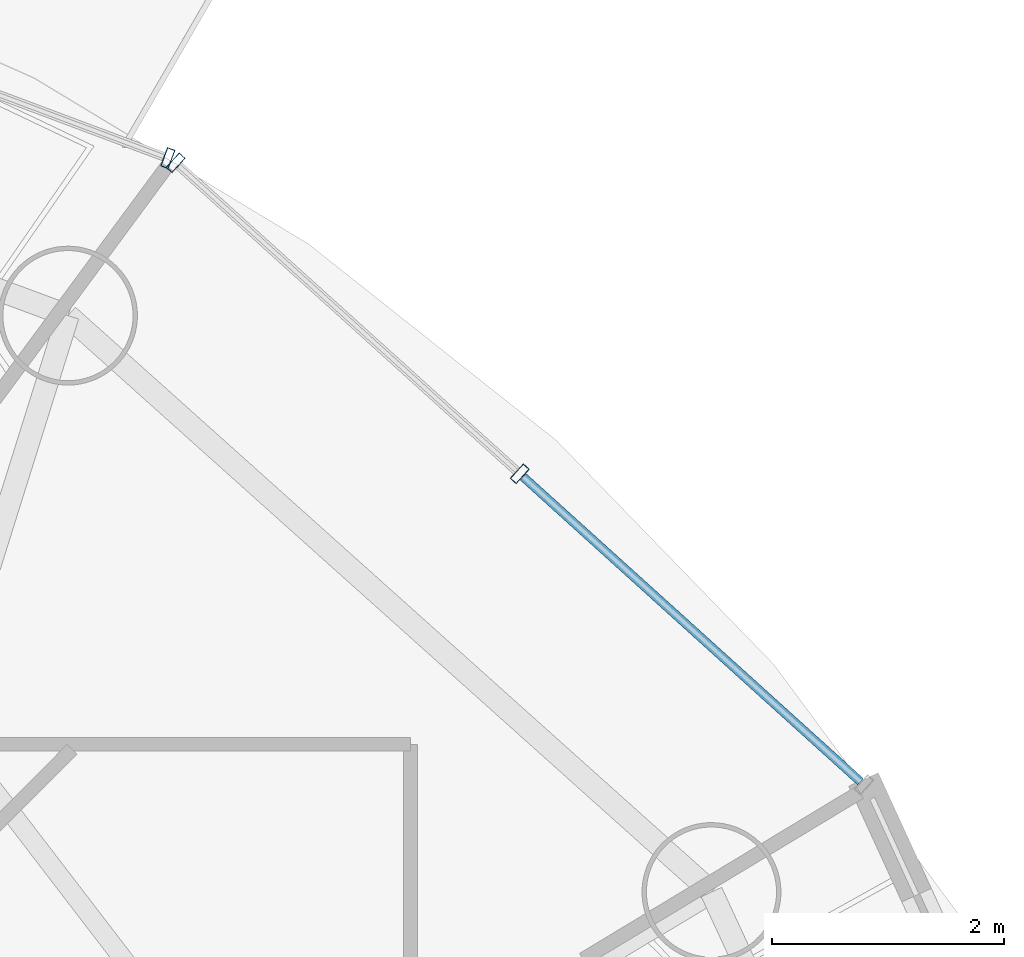
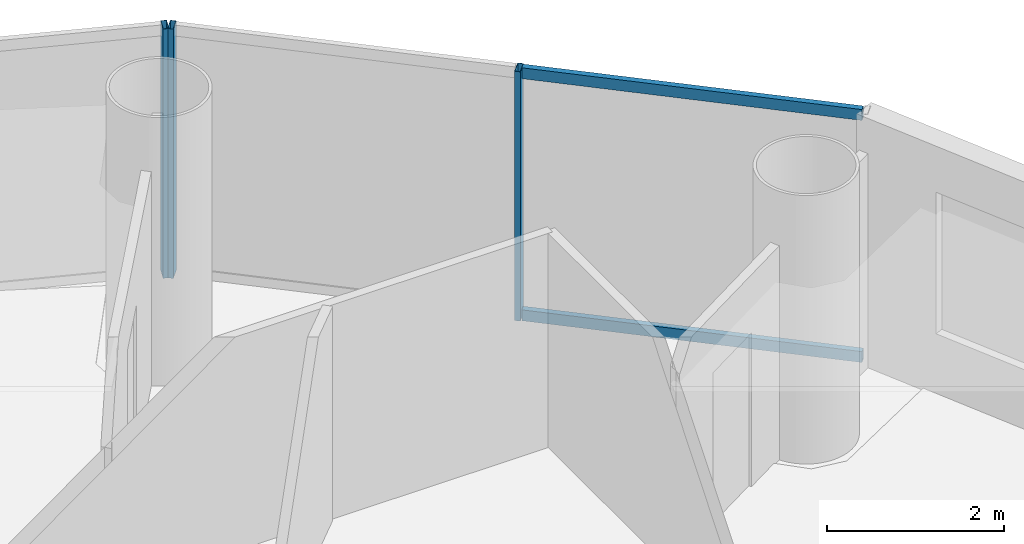
# One storey, part 18 of 26: 5 members, 2 elements without a shape of their own.
"""IFC4 building model written with IfcOpenShell, lengths in metres."""

import ifcopenshell
import ifcopenshell.guid

model = None  # the IFC model being written
_history = None  # IfcOwnerHistory: only IFC2X3 demands one
_inside = {}  # id of a spatial element -> (the spatial element, [elements in it])
_under = {}  # id of a project, library or spatial element -> (it, [spatial elements below it])
_declared = {}  # id of a project -> (the project, [libraries it declares])
_typed = {}  # id of a type object -> (the type object, [elements of that type])
_made_of = {}  # id of a material, layer set ... -> (it, [elements and type objects made of it])


def new_model(schema):
    """Start an empty IFC model of exactly this schema.

    Asked for "IFC4X3", IfcOpenShell would pick the latest addendum, in which some entities
    have other attributes; the version numbers below select the first issue.
    IFC2X3 requires an IfcOwnerHistory on every rooted entity: one is made here for all.
    """
    global model, _history
    if schema == "IFC4X3":
        model = ifcopenshell.file(schema_version=(4, 3, 0, 0))
    else:
        model = ifcopenshell.file(schema=schema)
    _inside.clear()
    _under.clear()
    _declared.clear()
    _typed.clear()
    _made_of.clear()
    _history = None
    if model.schema == "IFC2X3":
        org = make("IfcOrganization", Name="unknown")
        user = make(
            "IfcPersonAndOrganization",
            ThePerson=make("IfcPerson", FamilyName="unknown"),
            TheOrganization=org,
        )
        app = make(
            "IfcApplication",
            ApplicationDeveloper=org,
            Version="unknown",
            ApplicationFullName="unknown",
            ApplicationIdentifier="unknown",
        )
        _history = make(
            "IfcOwnerHistory",
            OwningUser=user,
            OwningApplication=app,
            ChangeAction="ADDED",
            CreationDate=0,
        )
    return model


def make(cls, **values):
    """One entity of the class cls with the attributes given. An attribute that is None is left unset."""
    return model.create_entity(
        cls, **{name: value for name, value in values.items() if value is not None}
    )


def rooted(cls, **values):
    """An entity with a GlobalId (a new one), such as an element, a storey or a relation."""
    return make(cls, GlobalId=ifcopenshell.guid.new(), OwnerHistory=_history, **values)


def si_unit(unit_type, name, prefix=None):
    """IfcSIUnit, for example si_unit("LENGTHUNIT", "METRE", prefix="MILLI")."""
    return make("IfcSIUnit", UnitType=unit_type, Prefix=prefix, Name=name)


def assignment(units):
    """IfcUnitAssignment: the units of a project."""
    return None if units is None else make("IfcUnitAssignment", Units=units)


def point(xyz):
    """IfcCartesianPoint."""
    return None if xyz is None else make("IfcCartesianPoint", Coordinates=xyz)


def direction(xyz):
    """IfcDirection."""
    return None if xyz is None else make("IfcDirection", DirectionRatios=xyz)


def frame(location, z_axis=None, x_axis=None):
    """IfcAxis2Placement3D, a coordinate frame: its origin and axes. An axis left out is left unset."""
    return make(
        "IfcAxis2Placement3D",
        Location=point(location),
        Axis=direction(z_axis),
        RefDirection=direction(x_axis),
    )


def frame_2d(location, x_axis=None):
    """IfcAxis2Placement2D, a coordinate frame in the plane: its origin and x axis."""
    return make(
        "IfcAxis2Placement2D", Location=point(location), RefDirection=direction(x_axis)
    )


def origin():
    """The frame at (0, 0, 0) with its axes left unset."""
    return frame((0.0, 0.0, 0.0))


def origin_2d():
    """The frame at (0, 0) in the plane with its x axis left unset."""
    return frame_2d((0.0, 0.0))


def place(relative_to, where):
    """IfcLocalPlacement: puts the frame where relative to a parent placement (None: the world)."""
    return make(
        "IfcLocalPlacement", PlacementRelTo=relative_to, RelativePlacement=where
    )


def context(
    kind, dimensions, precision=None, world=None, true_north=None, identifier=None
):
    """IfcGeometricRepresentationContext, for example the 3D "Model" context."""
    return make(
        "IfcGeometricRepresentationContext",
        ContextIdentifier=identifier,
        ContextType=kind,
        CoordinateSpaceDimension=dimensions,
        Precision=precision,
        WorldCoordinateSystem=world,
        TrueNorth=true_north,
    )


def subcontext(parent, identifier, kind, view, scale=None):
    """IfcGeometricRepresentationSubContext, for example "Body" below "Model"."""
    return make(
        "IfcGeometricRepresentationSubContext",
        ContextIdentifier=identifier,
        ContextType=kind,
        ParentContext=parent,
        TargetScale=scale,
        TargetView=view,
    )


def project(units=None, contexts=None):
    """IfcProject with its units and contexts."""
    return rooted(
        "IfcProject",
        Name="project",
        RepresentationContexts=contexts,
        UnitsInContext=assignment(units),
    )


def spatial(cls, under=None, at=None, **own):
    """A site, building, storey or space (cls), placed at a placement, below another one or the project."""
    s = rooted(cls, ObjectPlacement=at, **own)
    if under is not None:
        _under.setdefault(under.id(), (under, []))[1].append(s)
    return s


def profile(cls, at=None, kind="AREA", **sizes):
    """A parametric profile (cls). Its sizes go by their IFC names, for example OverallWidth=200.0."""
    return make(cls, ProfileType=kind, Position=at, **sizes)


def hollow_rectangle(**sizes):
    """IfcRectangleHollowProfileDef."""
    return profile("IfcRectangleHollowProfileDef", **sizes)


def extrude(swept, where, along, depth):
    """IfcExtrudedAreaSolid: the profile swept, set in the frame where, extruded along a direction by depth."""
    return make(
        "IfcExtrudedAreaSolid",
        SweptArea=swept,
        Position=where,
        ExtrudedDirection=direction(along),
        Depth=depth,
    )


def shape(context_of_items, identifier, shape_type, items):
    """IfcShapeRepresentation: the items that make up one representation, for example the "Body"."""
    return make(
        "IfcShapeRepresentation",
        ContextOfItems=context_of_items,
        RepresentationIdentifier=identifier,
        RepresentationType=shape_type,
        Items=items,
    )


def source(mapping_origin, context_of_items, identifier, shape_type, items):
    """IfcRepresentationMap: a shape defined once, which mapped items show again and again."""
    return make(
        "IfcRepresentationMap",
        MappingOrigin=mapping_origin,
        MappedRepresentation=shape(context_of_items, identifier, shape_type, items),
    )


def transform(
    local_origin,
    x_axis=None,
    y_axis=None,
    z_axis=None,
    scale=None,
    scale2=None,
    scale3=None,
    uniform=True,
):
    """IfcCartesianTransformationOperator3D, or its non-uniform kind. x_axis, y_axis, z_axis: its Axis1, 2, 3."""
    if uniform:
        return make(
            "IfcCartesianTransformationOperator3D",
            Axis1=direction(x_axis),
            Axis2=direction(y_axis),
            LocalOrigin=point(local_origin),
            Scale=scale,
            Axis3=direction(z_axis),
        )
    return make(
        "IfcCartesianTransformationOperator3DnonUniform",
        Axis1=direction(x_axis),
        Axis2=direction(y_axis),
        LocalOrigin=point(local_origin),
        Scale=scale,
        Axis3=direction(z_axis),
        Scale2=scale2,
        Scale3=scale3,
    )


def mapped(mapping_source, mapping_target):
    """IfcMappedItem: shows the shape of a source again, moved by a transform."""
    return make(
        "IfcMappedItem", MappingSource=mapping_source, MappingTarget=mapping_target
    )


def material(Name=None, Category=None):
    """IfcMaterial."""
    return make("IfcMaterial", Name=Name, Category=Category)


def material_profile(
    of_material, cross_section, Name=None, Category=None, Priority=None
):
    """IfcMaterialProfile: a cross section and its material."""
    return make(
        "IfcMaterialProfile",
        Name=Name,
        Material=of_material,
        Profile=cross_section,
        Priority=Priority,
        Category=Category,
    )


def profile_set(profiles, Name=None, composite=None):
    """IfcMaterialProfileSet."""
    return make(
        "IfcMaterialProfileSet",
        Name=Name,
        MaterialProfiles=profiles,
        CompositeProfile=composite,
    )


def made_of(thing, what):
    """Note that an element or type object is made of a material, layer set ...; save() writes the relation."""
    if what is not None:
        _made_of.setdefault(what.id(), (what, []))[1].append(thing)
    return thing


def type_object(cls, material=None, **own):
    """A type object (cls), such as IfcWallType, which elements share."""
    return made_of(rooted(cls, **own), material)


def element(
    cls,
    number,
    at=None,
    inside=None,
    cuts=None,
    type_object=None,
    material=None,
    context=None,
    identifier="Body",
    shape_type=None,
    held_by="IfcProductDefinitionShape",
    body=None,
    shapes=None,
    **own,
):
    """One element of the class cls, such as IfcWall. Its Tag is "e" and its number.

    at: its placement. inside: the storey or other place that contains it. cuts: it is an
    opening in that element (IfcRelVoidsElement). A single representation is given by context,
    identifier, shape_type and body (its items); several are given by shapes. held_by: the class
    of the entity that holds the representations. save() writes the other relations.
    """
    e = rooted(cls, Tag="e%d" % number, ObjectPlacement=at, **own)
    if body is not None:
        shapes = [shape(context, identifier, shape_type, body)]
    if shapes is not None:
        e.Representation = make(held_by, Representations=shapes)
    if inside is not None:
        _inside.setdefault(inside.id(), (inside, []))[1].append(e)
    if cuts is not None:
        rooted(
            "IfcRelVoidsElement", RelatingBuildingElement=cuts, RelatedOpeningElement=e
        )
    if type_object is not None:
        _typed.setdefault(type_object.id(), (type_object, []))[1].append(e)
    return made_of(e, material)


def aggregate(whole, parts):
    """IfcRelAggregates: a whole, such as a stair, and the parts it consists of."""
    return rooted("IfcRelAggregates", RelatingObject=whole, RelatedObjects=parts)


def save(model, path):
    """Write the relations noted so far, then the file.

    IfcRelAggregates (storeys below a building ...), IfcRelContainedInSpatialStructure (elements
    in a storey), IfcRelDefinesByType, IfcRelAssociatesMaterial and IfcRelDeclares: one each for
    every whole, place, type object, material and project.
    """
    for whole, parts in _under.values():
        aggregate(whole, parts)
    for where, things in _inside.values():
        rooted(
            "IfcRelContainedInSpatialStructure",
            RelatedElements=things,
            RelatingStructure=where,
        )
    for kind, things in _typed.values():
        rooted("IfcRelDefinesByType", RelatedObjects=things, RelatingType=kind)
    for what, things in _made_of.values():
        rooted("IfcRelAssociatesMaterial", RelatedObjects=things, RelatingMaterial=what)
    for by, libraries in _declared.values():
        rooted("IfcRelDeclares", RelatingContext=by, RelatedDefinitions=libraries)
    model.write(path)


model = new_model("IFC4")

# Units and contexts
model_context = context("Model", 3, precision=1e-05, world=origin(), true_north=direction((-0.2419218956, 0.970295726276)))
body_context = subcontext(model_context, "Body", "Model", "MODEL_VIEW")
ifc_project = project(units=[si_unit("LENGTHUNIT", "METRE"), si_unit("AREAUNIT", "SQUARE_METRE"), si_unit("VOLUMEUNIT", "CUBIC_METRE"), si_unit("PLANEANGLEUNIT", "RADIAN"), si_unit("MASSUNIT", "GRAM", prefix="KILO")], contexts=[model_context])

# Site, building, storey
site_placement = place(None, origin())
site = spatial("IfcSite", under=ifc_project, at=site_placement, CompositionType="ELEMENT")
building_placement = place(site_placement, origin())
building = spatial("IfcBuilding", under=site, at=building_placement, Name="Cobrevalo Terracotta Tower", CompositionType="ELEMENT")
storey_placement = place(building_placement, frame((0.0, 0.0, 235.60009765625)))
storey = spatial("IfcBuildingStorey", under=building, at=storey_placement, Name="L62", CompositionType="ELEMENT", Elevation=235.60009765625)

# Curtain wall, members
ifc_material = material(Name="Anodized aluminium", Category="aluminium")
curtain_wall_type = type_object("IfcCurtainWallType", Name="Mid-tower high-wind unitised curtain wall CW-U2", PredefinedType="NOTDEFINED", material=ifc_material)
curtain_wall_1_placement = place(storey_placement, origin())
curtain_wall_1 = element("IfcCurtainWall", 1, at=curtain_wall_1_placement, inside=storey, type_object=curtain_wall_type, Name="L62 curtain wall CW-L62-S02", PredefinedType="NOTDEFINED")
ifc_material_profile_1 = material_profile(ifc_material, hollow_rectangle(XDim=0.074951171875, YDim=0.14990234375, WallThickness=0.00439453125, at=origin_2d()), Name="CWT 75x150")
ifc_profile_set_1 = profile_set([ifc_material_profile_1], Name="Anodized aluminium")
member_type_1 = type_object("IfcMemberType", Name="Tower unitised aluminium transom 75x150", PredefinedType="USERDEFINED", material=ifc_profile_set_1)
shared_shape_1 = source(origin(), body_context, "Body", "SweptSolid", [
    extrude(hollow_rectangle(XDim=0.074951171875, YDim=0.14990234375, WallThickness=0.00439453125, at=origin_2d()), origin(), (0.0, 0.0, 1.0), 3.927490234375),
])
member_1_placement = place(storey_placement, frame((56.041748046875, 37.78173828125, 0.0498046875), z_axis=(-0.741975952623, 0.670426495396, 0.0), x_axis=(-0.670426495396, -0.741975952623, 0.0)))
member_1 = element("IfcMember", 2, at=member_1_placement, type_object=member_type_1, Name="CW-L62-S02 transom B01-T1", ObjectType="TRANSOM", PredefinedType="USERDEFINED", context=body_context, shape_type="MappedRepresentation", body=[
    mapped(shared_shape_1, transform((0.0, 0.0, 0.0), scale=1.0)),
])
member_2_placement = place(storey_placement, frame((56.041748046875, 37.78173828125, 3.385009765625), z_axis=(-0.741975952623, 0.670426495396, 0.0), x_axis=(-0.670426495396, -0.741975952623, 0.0)))
member_2 = element("IfcMember", 3, at=member_2_placement, type_object=member_type_1, Name="CW-L62-S02 transom B01-T2", ObjectType="TRANSOM", PredefinedType="USERDEFINED", context=body_context, shape_type="MappedRepresentation", body=[
    mapped(shared_shape_1, transform((0.0, 0.0, 0.0), scale=1.0)),
])
ifc_material_profile_2 = material_profile(ifc_material, hollow_rectangle(XDim=0.070068359375, YDim=0.169921875, WallThickness=0.00439453125, at=origin_2d()), Name="CWM 70x170")
ifc_profile_set_2 = profile_set([ifc_material_profile_2], Name="Anodized aluminium")
member_type_2 = type_object("IfcMemberType", Name="Upper tower unitised mullion 70x170", PredefinedType="MULLION", material=ifc_profile_set_2)
shared_shape_2 = source(origin(), body_context, "Body", "SweptSolid", [
    extrude(hollow_rectangle(XDim=0.070068359375, YDim=0.169921875, WallThickness=0.00439453125, at=origin_2d()), origin(), (0.0, 0.0, 1.0), 3.434814453125),
])
member_3_placement = place(storey_placement, frame((53.097900390625, 40.441650390625, 0.0), z_axis=(0.0, 0.0, 1.0), x_axis=(-0.741987542015, 0.670413668935, 0.0)))
member_3 = element("IfcMember", 4, at=member_3_placement, type_object=member_type_2, Name="CW-L62-S02 vertical mullion 02", PredefinedType="MULLION", context=body_context, shape_type="MappedRepresentation", body=[
    mapped(shared_shape_2, transform((0.0, 0.0, 0.0), scale=1.0)),
])
member_4_placement = place(storey_placement, frame((50.12451171875, 43.128173828125, 0.0), z_axis=(0.0, 0.0, 1.0), x_axis=(-0.741987542015, 0.670413668935, 0.0)))
member_4 = element("IfcMember", 5, at=member_4_placement, type_object=member_type_2, Name="CW-L62-S02 vertical mullion 03", PredefinedType="MULLION", context=body_context, shape_type="MappedRepresentation", body=[
    mapped(shared_shape_2, transform((0.0, 0.0, 0.0), scale=1.0)),
])
aggregate(curtain_wall_1, [member_3, member_4, member_1, member_2])

# Curtain wall, member
curtain_wall_2_placement = place(storey_placement, origin())
curtain_wall_2 = element("IfcCurtainWall", 6, at=curtain_wall_2_placement, inside=storey, type_object=curtain_wall_type, Name="L62 curtain wall CW-L62-S03", PredefinedType="NOTDEFINED")
member_5_placement = place(storey_placement, frame((50.057373046875, 43.1689453125, 0.0), z_axis=(0.0, 0.0, 1.0), x_axis=(-0.936556004584, 0.350517974259, 0.0)))
member_5 = element("IfcMember", 7, at=member_5_placement, type_object=member_type_2, Name="CW-L62-S03 vertical mullion 01", PredefinedType="MULLION", context=body_context, shape_type="MappedRepresentation", body=[
    mapped(shared_shape_2, transform((0.0, 0.0, 0.0), scale=1.0)),
])
aggregate(curtain_wall_2, [member_5])

save(model, "model.ifc")
